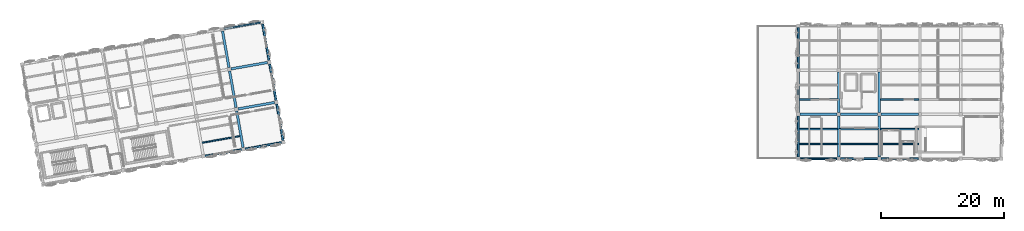
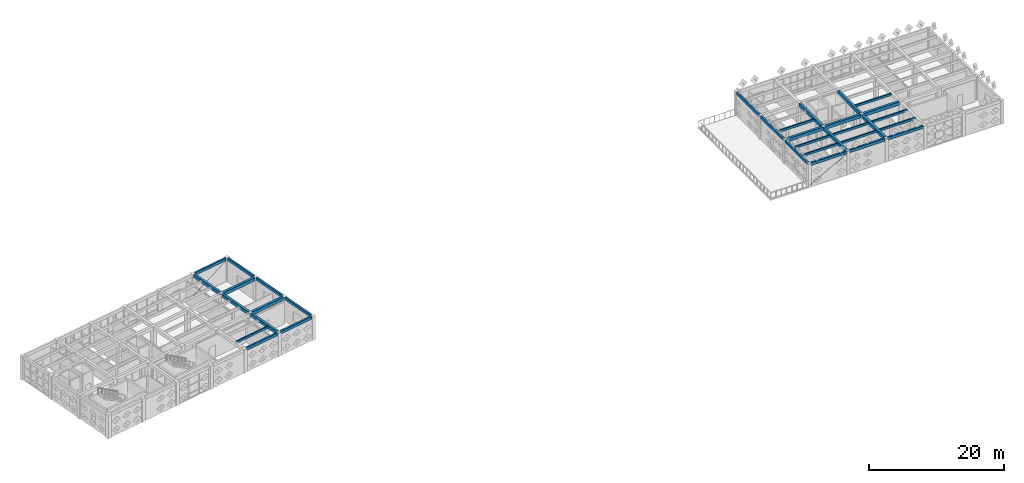
# One storey, part 9 of 29: 33 beams, 2 members.
"""IFC4 building model written with IfcOpenShell, lengths in metres."""

import ifcopenshell
import ifcopenshell.guid

model = None  # the IFC model being written
_history = None  # IfcOwnerHistory: only IFC2X3 demands one
_inside = {}  # id of a spatial element -> (the spatial element, [elements in it])
_under = {}  # id of a project, library or spatial element -> (it, [spatial elements below it])
_declared = {}  # id of a project -> (the project, [libraries it declares])
_typed = {}  # id of a type object -> (the type object, [elements of that type])
_made_of = {}  # id of a material, layer set ... -> (it, [elements and type objects made of it])


def new_model(schema):
    """Start an empty IFC model of exactly this schema.

    Asked for "IFC4X3", IfcOpenShell would pick the latest addendum, in which some entities
    have other attributes; the version numbers below select the first issue.
    IFC2X3 requires an IfcOwnerHistory on every rooted entity: one is made here for all.
    """
    global model, _history
    if schema == "IFC4X3":
        model = ifcopenshell.file(schema_version=(4, 3, 0, 0))
    else:
        model = ifcopenshell.file(schema=schema)
    _inside.clear()
    _under.clear()
    _declared.clear()
    _typed.clear()
    _made_of.clear()
    _history = None
    if model.schema == "IFC2X3":
        org = make("IfcOrganization", Name="unknown")
        user = make(
            "IfcPersonAndOrganization",
            ThePerson=make("IfcPerson", FamilyName="unknown"),
            TheOrganization=org,
        )
        app = make(
            "IfcApplication",
            ApplicationDeveloper=org,
            Version="unknown",
            ApplicationFullName="unknown",
            ApplicationIdentifier="unknown",
        )
        _history = make(
            "IfcOwnerHistory",
            OwningUser=user,
            OwningApplication=app,
            ChangeAction="ADDED",
            CreationDate=0,
        )
    return model


def make(cls, **values):
    """One entity of the class cls with the attributes given. An attribute that is None is left unset."""
    return model.create_entity(
        cls, **{name: value for name, value in values.items() if value is not None}
    )


def rooted(cls, **values):
    """An entity with a GlobalId (a new one), such as an element, a storey or a relation."""
    return make(cls, GlobalId=ifcopenshell.guid.new(), OwnerHistory=_history, **values)


def si_unit(unit_type, name, prefix=None):
    """IfcSIUnit, for example si_unit("LENGTHUNIT", "METRE", prefix="MILLI")."""
    return make("IfcSIUnit", UnitType=unit_type, Prefix=prefix, Name=name)


def assignment(units):
    """IfcUnitAssignment: the units of a project."""
    return None if units is None else make("IfcUnitAssignment", Units=units)


def point(xyz):
    """IfcCartesianPoint."""
    return None if xyz is None else make("IfcCartesianPoint", Coordinates=xyz)


def direction(xyz):
    """IfcDirection."""
    return None if xyz is None else make("IfcDirection", DirectionRatios=xyz)


def frame(location, z_axis=None, x_axis=None):
    """IfcAxis2Placement3D, a coordinate frame: its origin and axes. An axis left out is left unset."""
    return make(
        "IfcAxis2Placement3D",
        Location=point(location),
        Axis=direction(z_axis),
        RefDirection=direction(x_axis),
    )


def frame_2d(location, x_axis=None):
    """IfcAxis2Placement2D, a coordinate frame in the plane: its origin and x axis."""
    return make(
        "IfcAxis2Placement2D", Location=point(location), RefDirection=direction(x_axis)
    )


def origin():
    """The frame at (0, 0, 0) with its axes left unset."""
    return frame((0.0, 0.0, 0.0))


def origin_2d():
    """The frame at (0, 0) in the plane with its x axis left unset."""
    return frame_2d((0.0, 0.0))


def place(relative_to, where):
    """IfcLocalPlacement: puts the frame where relative to a parent placement (None: the world)."""
    return make(
        "IfcLocalPlacement", PlacementRelTo=relative_to, RelativePlacement=where
    )


def context(
    kind, dimensions, precision=None, world=None, true_north=None, identifier=None
):
    """IfcGeometricRepresentationContext, for example the 3D "Model" context."""
    return make(
        "IfcGeometricRepresentationContext",
        ContextIdentifier=identifier,
        ContextType=kind,
        CoordinateSpaceDimension=dimensions,
        Precision=precision,
        WorldCoordinateSystem=world,
        TrueNorth=true_north,
    )


def subcontext(parent, identifier, kind, view, scale=None):
    """IfcGeometricRepresentationSubContext, for example "Body" below "Model"."""
    return make(
        "IfcGeometricRepresentationSubContext",
        ContextIdentifier=identifier,
        ContextType=kind,
        ParentContext=parent,
        TargetScale=scale,
        TargetView=view,
    )


def project(units=None, contexts=None):
    """IfcProject with its units and contexts."""
    return rooted(
        "IfcProject",
        Name="project",
        RepresentationContexts=contexts,
        UnitsInContext=assignment(units),
    )


def spatial(cls, under=None, at=None, **own):
    """A site, building, storey or space (cls), placed at a placement, below another one or the project."""
    s = rooted(cls, ObjectPlacement=at, **own)
    if under is not None:
        _under.setdefault(under.id(), (under, []))[1].append(s)
    return s


def profile(cls, at=None, kind="AREA", **sizes):
    """A parametric profile (cls). Its sizes go by their IFC names, for example OverallWidth=200.0."""
    return make(cls, ProfileType=kind, Position=at, **sizes)


def rectangle(**sizes):
    """IfcRectangleProfileDef."""
    return profile("IfcRectangleProfileDef", **sizes)


def hollow_rectangle(**sizes):
    """IfcRectangleHollowProfileDef."""
    return profile("IfcRectangleHollowProfileDef", **sizes)


def hollow_circle(**sizes):
    """IfcCircleHollowProfileDef."""
    return profile("IfcCircleHollowProfileDef", **sizes)


def extrude(swept, where, along, depth):
    """IfcExtrudedAreaSolid: the profile swept, set in the frame where, extruded along a direction by depth."""
    return make(
        "IfcExtrudedAreaSolid",
        SweptArea=swept,
        Position=where,
        ExtrudedDirection=direction(along),
        Depth=depth,
    )


def shape(context_of_items, identifier, shape_type, items):
    """IfcShapeRepresentation: the items that make up one representation, for example the "Body"."""
    return make(
        "IfcShapeRepresentation",
        ContextOfItems=context_of_items,
        RepresentationIdentifier=identifier,
        RepresentationType=shape_type,
        Items=items,
    )


def material(Name=None, Category=None):
    """IfcMaterial."""
    return make("IfcMaterial", Name=Name, Category=Category)


def material_profile(
    of_material, cross_section, Name=None, Category=None, Priority=None
):
    """IfcMaterialProfile: a cross section and its material."""
    return make(
        "IfcMaterialProfile",
        Name=Name,
        Material=of_material,
        Profile=cross_section,
        Priority=Priority,
        Category=Category,
    )


def profile_set(profiles, Name=None, composite=None):
    """IfcMaterialProfileSet."""
    return make(
        "IfcMaterialProfileSet",
        Name=Name,
        MaterialProfiles=profiles,
        CompositeProfile=composite,
    )


def made_of(thing, what):
    """Note that an element or type object is made of a material, layer set ...; save() writes the relation."""
    if what is not None:
        _made_of.setdefault(what.id(), (what, []))[1].append(thing)
    return thing


def type_object(cls, material=None, **own):
    """A type object (cls), such as IfcWallType, which elements share."""
    return made_of(rooted(cls, **own), material)


def element(
    cls,
    number,
    at=None,
    inside=None,
    cuts=None,
    type_object=None,
    material=None,
    context=None,
    identifier="Body",
    shape_type=None,
    held_by="IfcProductDefinitionShape",
    body=None,
    shapes=None,
    **own,
):
    """One element of the class cls, such as IfcWall. Its Tag is "e" and its number.

    at: its placement. inside: the storey or other place that contains it. cuts: it is an
    opening in that element (IfcRelVoidsElement). A single representation is given by context,
    identifier, shape_type and body (its items); several are given by shapes. held_by: the class
    of the entity that holds the representations. save() writes the other relations.
    """
    e = rooted(cls, Tag="e%d" % number, ObjectPlacement=at, **own)
    if body is not None:
        shapes = [shape(context, identifier, shape_type, body)]
    if shapes is not None:
        e.Representation = make(held_by, Representations=shapes)
    if inside is not None:
        _inside.setdefault(inside.id(), (inside, []))[1].append(e)
    if cuts is not None:
        rooted(
            "IfcRelVoidsElement", RelatingBuildingElement=cuts, RelatedOpeningElement=e
        )
    if type_object is not None:
        _typed.setdefault(type_object.id(), (type_object, []))[1].append(e)
    return made_of(e, material)


def aggregate(whole, parts):
    """IfcRelAggregates: a whole, such as a stair, and the parts it consists of."""
    return rooted("IfcRelAggregates", RelatingObject=whole, RelatedObjects=parts)


def save(model, path):
    """Write the relations noted so far, then the file.

    IfcRelAggregates (storeys below a building ...), IfcRelContainedInSpatialStructure (elements
    in a storey), IfcRelDefinesByType, IfcRelAssociatesMaterial and IfcRelDeclares: one each for
    every whole, place, type object, material and project.
    """
    for whole, parts in _under.values():
        aggregate(whole, parts)
    for where, things in _inside.values():
        rooted(
            "IfcRelContainedInSpatialStructure",
            RelatedElements=things,
            RelatingStructure=where,
        )
    for kind, things in _typed.values():
        rooted("IfcRelDefinesByType", RelatedObjects=things, RelatingType=kind)
    for what, things in _made_of.values():
        rooted("IfcRelAssociatesMaterial", RelatedObjects=things, RelatingMaterial=what)
    for by, libraries in _declared.values():
        rooted("IfcRelDeclares", RelatingContext=by, RelatedDefinitions=libraries)
    model.write(path)


model = new_model("IFC4")

# Units and contexts
model_context = context("Model", 3, precision=1e-05, world=origin(), true_north=direction((0.0, 1.0)))
body_context = subcontext(model_context, "Body", "Model", "MODEL_VIEW")
ifc_project = project(units=[si_unit("LENGTHUNIT", "METRE"), si_unit("AREAUNIT", "SQUARE_METRE"), si_unit("VOLUMEUNIT", "CUBIC_METRE"), si_unit("PLANEANGLEUNIT", "RADIAN"), si_unit("MASSUNIT", "GRAM", prefix="KILO")], contexts=[model_context])

# Site, building, storey
site_placement = place(None, origin())
site = spatial("IfcSite", under=ifc_project, at=site_placement, CompositionType="ELEMENT")
building_placement = place(site_placement, origin())
building = spatial("IfcBuilding", under=site, at=building_placement, Name="Kharisveld Research Institute", CompositionType="ELEMENT")
storey_placement = place(building_placement, frame((0.0, 0.0, 32.10009765625)))
storey = spatial("IfcBuildingStorey", under=building, at=storey_placement, Name="L07", CompositionType="ELEMENT", Elevation=32.10009765625)

# Beams
ifc_material_1 = material(Name="Concrete C40/50", Category="concrete")
ifc_material_profile_1 = material_profile(ifc_material_1, rectangle(XDim=0.39990234375, YDim=0.550048828125, at=origin_2d()))
ifc_profile_set_1 = profile_set([ifc_material_profile_1], Name="Concrete C40/50")
beam_type_1 = type_object("IfcBeamType", Name="BM_RC_400x550", PredefinedType="BEAM", material=ifc_profile_set_1)
for number, where, z_axis, x_axis, name in (
    (1, (37.646484375, 41.035888671875, 4.034912109375), (-0.173629803561, 0.984810992686, 0.0), (-0.984810992686, -0.173629803561, 0.0), "BM:V1:L07:V5_0"),
    (2, (36.50048828125, 47.53564453125, 4.034912109375), (-0.173669267716, 0.984804034035, 0.0), (-0.984804034035, -0.173669267716, 0.0), "BM:V1:L07:V5_1"),
    (3, (35.3544921875, 54.035400390625, 4.034912109375), (-0.173669267716, 0.984804034035, 0.0), (-0.984804034035, -0.173669267716, 0.0), "BM:V1:L07:V5_2"),
):
    element("IfcBeam", number, at=place(storey_placement, frame(where, z_axis=z_axis, x_axis=x_axis)), inside=storey, type_object=beam_type_1, Name=name, PredefinedType="BEAM", context=body_context, shape_type="SweptSolid", body=[
        extrude(rectangle(XDim=0.39990234375, YDim=0.550048828125, at=origin_2d()), origin(), (0.0, 0.0, 1.0), 5.999755859375),
    ])
for number, where, z_axis, x_axis, name in (
    (4, (134.39990234375, 39.47509765625, 4.02978515625), (0.0, 1.0, 0.0), (-1.0, 0.0, 0.0), "BM:V2:L07:V3_0"),
    (5, (134.39990234375, 46.675048828125, 4.02978515625), (0.0, 1.0, 0.0), (-1.0, 0.0, 0.0), "BM:V2:L07:V3_1"),
    (6, (141.0, 39.47509765625, 4.02978515625), (0.0, 1.0, 0.0), (-1.0, 0.0, 0.0), "BM:V2:L07:V4_0"),
    (7, (141.0, 46.675048828125, 4.02978515625), (0.0, 1.0, 0.0), (-1.0, 0.0, 0.0), "BM:V2:L07:V4_1"),
):
    element("IfcBeam", number, at=place(storey_placement, frame(where, z_axis=z_axis, x_axis=x_axis)), inside=storey, type_object=beam_type_1, Name=name, PredefinedType="BEAM", context=body_context, shape_type="SweptSolid", body=[
        extrude(rectangle(XDim=0.39990234375, YDim=0.550048828125, at=origin_2d()), origin(), (0.0, 0.0, 1.0), 6.64990234375),
    ])
ifc_material_2 = material(Name="Concrete C40/50", Category="concrete")
ifc_material_profile_2 = material_profile(ifc_material_2, rectangle(XDim=0.39990234375, YDim=0.60009765625, at=origin_2d()))
ifc_profile_set_2 = profile_set([ifc_material_profile_2], Name="Concrete C40/50")
beam_type_2 = type_object("IfcBeamType", Name="BM_RC_400x600", PredefinedType="BEAM", material=ifc_profile_set_2)
for number, where, z_axis, x_axis, name in (
    (8, (36.847900390625, 47.292236328125, 4.010009765625), (0.984812219346, 0.173622845926, 0.0), (-0.173622845926, 0.984812219346, 0.0), "BM:V1:L07:U5_1"),
    (9, (35.701904296875, 53.7919921875, 4.010009765625), (0.984812219346, 0.173622845926, 0.0), (-0.173622845926, 0.984812219346, 0.0), "BM:V1:L07:U5_2"),
):
    element("IfcBeam", number, at=place(storey_placement, frame(where, z_axis=z_axis, x_axis=x_axis)), inside=storey, type_object=beam_type_2, Name=name, PredefinedType="BEAM", context=body_context, shape_type="SweptSolid", body=[
        extrude(rectangle(XDim=0.39990234375, YDim=0.60009765625, at=origin_2d()), origin(), (0.0, 0.0, 1.0), 6.0),
    ])
for number, where, z_axis, x_axis, name in (
    (10, (128.074951171875, 46.39990234375, 4.0048828125), (1.0, 0.0, 0.0), (0.0, 1.0, 0.0), "BM:V2:L07:U2_1"),
    (11, (134.675048828125, 46.39990234375, 4.0048828125), (1.0, 0.0, 0.0), (0.0, 1.0, 0.0), "BM:V2:L07:U3_1"),
    (12, (141.27490234375, 46.39990234375, 4.0048828125), (1.0, 0.0, 0.0), (0.0, 1.0, 0.0), "BM:V2:L07:U4_1"),
):
    element("IfcBeam", number, at=place(storey_placement, frame(where, z_axis=z_axis, x_axis=x_axis)), inside=storey, type_object=beam_type_2, Name=name, PredefinedType="BEAM", context=body_context, shape_type="SweptSolid", body=[
        extrude(rectangle(XDim=0.39990234375, YDim=0.60009765625, at=origin_2d()), origin(), (0.0, 0.0, 1.0), 6.050048828125),
    ])

# Members
ifc_material_3 = material(Name="Steel S355J2H", Category="steel")
ifc_material_profile_3 = material_profile(ifc_material_3, hollow_circle(Radius=0.06982421875, WallThickness=0.00634765625, at=origin_2d()))
ifc_profile_set_3 = profile_set([ifc_material_profile_3], Name="Steel S355J2H")
member_type_1 = type_object("IfcMemberType", Name="BR_CHS140", PredefinedType="BRACE", material=ifc_profile_set_3)
member_1_placement = place(storey_placement, frame((34.35888671875, 60.2568359375, 0.199951171875), z_axis=(0.860614431418, 0.151780969408, 0.486112474393), x_axis=(-0.173683053068, 0.984801602901, 0.0)))
element("IfcMember", 13, at=member_1_placement, inside=storey, type_object=member_type_1, Name="MEM:V1:L07:BR_5_3", PredefinedType="BRACE", context=body_context, shape_type="SweptSolid", body=[
    extrude(hollow_circle(Radius=0.06982421875, WallThickness=0.00634765625, at=origin_2d()), origin(), (0.0, 0.0, 1.0), 7.323486328125),
])
ifc_material_4 = material(Name="Steel S355J2H", Category="steel")
ifc_material_profile_4 = material_profile(ifc_material_4, hollow_rectangle(XDim=0.1201171875, YDim=0.1201171875, WallThickness=0.00634765625, at=origin_2d()))
ifc_profile_set_4 = profile_set([ifc_material_profile_4], Name="Steel S355J2H")
member_type_2 = type_object("IfcMemberType", Name="BR_SHS120", PredefinedType="BRACE", material=ifc_profile_set_4)
member_2_placement = place(storey_placement, frame((127.89990234375, 39.199951171875, 0.199951171875), z_axis=(0.874198170593, 0.0, 0.485569313828), x_axis=(0.0, 1.0, 0.0)))
element("IfcMember", 14, at=member_2_placement, inside=storey, type_object=member_type_2, Name="MEM:V2:L07:BR_2_0", PredefinedType="BRACE", context=body_context, shape_type="SweptSolid", body=[
    extrude(hollow_rectangle(XDim=0.1201171875, YDim=0.1201171875, WallThickness=0.00634765625, at=origin_2d()), origin(), (0.0, 0.0, 1.0), 7.321044921875),
])

# Beams
ifc_material_5 = material(Name="Concrete C40/50", Category="concrete")
ifc_material_profile_5 = material_profile(ifc_material_5, rectangle(XDim=0.300048828125, YDim=0.5, at=origin_2d()))
ifc_profile_set_5 = profile_set([ifc_material_profile_5], Name="Concrete C40/50")
beam_type_3 = type_object("IfcBeamType", Name="SP_RC_300x500", PredefinedType="SPANDREL", material=ifc_profile_set_5)
beam_1_placement = place(storey_placement, frame((31.494384765625, 39.646484375, 4.059814453125), z_axis=(0.984812219346, 0.173622845926, 0.0), x_axis=(-0.173622845926, 0.984812219346, 0.0)))
element("IfcBeam", 15, at=beam_1_placement, inside=storey, type_object=beam_type_3, Name="BM:V1:L07:U4_0", PredefinedType="SPANDREL", context=body_context, shape_type="SweptSolid", body=[
    extrude(rectangle(XDim=0.300048828125, YDim=0.5, at=origin_2d()), origin(), (0.0, 0.0, 1.0), 6.0),
])
for number, where, z_axis, x_axis, name in (
    (16, (37.994140625, 40.79248046875, 4.059814453125), (0.984804034035, 0.173669267716, 0.0), (-0.173669267716, 0.984804034035, 0.0), "BM:V1:L07:U5_0"),
    (17, (34.555908203125, 60.291748046875, 4.059814453125), (0.984810992686, 0.173629803561, 0.0), (-0.173629803561, 0.984810992686, 0.0), "BM:V1:L07:U5_3"),
):
    element("IfcBeam", number, at=place(storey_placement, frame(where, z_axis=z_axis, x_axis=x_axis)), inside=storey, type_object=beam_type_3, Name=name, PredefinedType="SPANDREL", context=body_context, shape_type="SweptSolid", body=[
        extrude(rectangle(XDim=0.300048828125, YDim=0.5, at=origin_2d()), origin(), (0.0, 0.0, 1.0), 5.999755859375),
    ])
for number, where, z_axis, x_axis, name in (
    (18, (44.146240234375, 42.181884765625, 4.059814453125), (-0.173622845926, 0.984812219346, 0.0), (-0.984812219346, -0.173622845926, 0.0), "BM:V1:L07:V6_0"),
    (19, (43.000244140625, 48.681640625, 4.059814453125), (-0.173662308598, 0.984805261243, 0.0), (-0.984805261243, -0.173662308598, 0.0), "BM:V1:L07:V6_1"),
    (20, (41.854248046875, 55.181396484375, 4.059814453125), (-0.173662308598, 0.984805261243, 0.0), (-0.984805261243, -0.173662308598, 0.0), "BM:V1:L07:V6_2"),
):
    element("IfcBeam", number, at=place(storey_placement, frame(where, z_axis=z_axis, x_axis=x_axis)), inside=storey, type_object=beam_type_3, Name=name, PredefinedType="SPANDREL", context=body_context, shape_type="SweptSolid", body=[
        extrude(rectangle(XDim=0.300048828125, YDim=0.5, at=origin_2d()), origin(), (0.0, 0.0, 1.0), 6.0),
    ])
for number, where, z_axis, x_axis, name in (
    (21, (128.074951171875, 39.199951171875, 4.054931640625), (1.0, 0.0, 0.0), (0.0, 1.0, 0.0), "BM:V2:L07:U2_0"),
    (22, (134.675048828125, 39.199951171875, 4.054931640625), (1.0, 0.0, 0.0), (0.0, 1.0, 0.0), "BM:V2:L07:U3_0"),
    (23, (141.27490234375, 39.199951171875, 4.054931640625), (1.0, 0.0, 0.0), (0.0, 1.0, 0.0), "BM:V2:L07:U4_0"),
):
    element("IfcBeam", number, at=place(storey_placement, frame(where, z_axis=z_axis, x_axis=x_axis)), inside=storey, type_object=beam_type_3, Name=name, PredefinedType="SPANDREL", context=body_context, shape_type="SweptSolid", body=[
        extrude(rectangle(XDim=0.300048828125, YDim=0.5, at=origin_2d()), origin(), (0.0, 0.0, 1.0), 6.050048828125),
    ])
for number, where, z_axis, x_axis, name in (
    (24, (127.800048828125, 39.47509765625, 4.054931640625), (0.0, 1.0, 0.0), (-1.0, 0.0, 0.0), "BM:V2:L07:V2_0"),
    (25, (127.800048828125, 46.675048828125, 4.054931640625), (0.0, 1.0, 0.0), (-1.0, 0.0, 0.0), "BM:V2:L07:V2_1"),
    (26, (127.800048828125, 53.875, 4.054931640625), (0.0, 1.0, 0.0), (-1.0, 0.0, 0.0), "BM:V2:L07:V2_2"),
):
    element("IfcBeam", number, at=place(storey_placement, frame(where, z_axis=z_axis, x_axis=x_axis)), inside=storey, type_object=beam_type_3, Name=name, PredefinedType="SPANDREL", context=body_context, shape_type="SweptSolid", body=[
        extrude(rectangle(XDim=0.300048828125, YDim=0.5, at=origin_2d()), origin(), (0.0, 0.0, 1.0), 6.64990234375),
    ])
ifc_material_6 = material(Name="Concrete C40/50", Category="concrete")
ifc_material_profile_6 = material_profile(ifc_material_6, rectangle(XDim=0.219970703125, YDim=0.39990234375, at=origin_2d()))
ifc_profile_set_6 = profile_set([ifc_material_profile_6], Name="Concrete C40/50")
beam_type_4 = type_object("IfcBeamType", Name="WB_RC_220x400", PredefinedType="JOIST", material=ifc_profile_set_6)
beam_2_placement = place(storey_placement, frame((31.013916015625, 41.795654296875, 4.10986328125), z_axis=(0.984806146634, 0.173657287643, 0.0), x_axis=(-0.173657287643, 0.984806146634, 0.0)))
element("IfcBeam", 27, at=beam_2_placement, inside=storey, type_object=beam_type_4, Name="BM:V1:L07:J_4_0_R1", PredefinedType="JOIST", context=body_context, shape_type="SweptSolid", body=[
    extrude(rectangle(XDim=0.219970703125, YDim=0.39990234375, at=origin_2d()), origin(), (0.0, 0.0, 1.0), 6.199951171875),
])
for number, where, z_axis, x_axis, name in (
    (28, (127.949951171875, 41.60009765625, 4.10498046875), (1.0, 0.0, 0.0), (0.0, 1.0, 0.0), "BM:V2:L07:J_2_0_R1"),
    (29, (127.949951171875, 44.0, 4.10498046875), (1.0, 0.0, 0.0), (0.0, 1.0, 0.0), "BM:V2:L07:J_2_0_R2"),
    (30, (127.949951171875, 48.800048828125, 4.10498046875), (1.0, 0.0, 0.0), (0.0, 1.0, 0.0), "BM:V2:L07:J_2_1_R1"),
):
    element("IfcBeam", number, at=place(storey_placement, frame(where, z_axis=z_axis, x_axis=x_axis)), inside=storey, type_object=beam_type_4, Name=name, PredefinedType="JOIST", context=body_context, shape_type="SweptSolid", body=[
        extrude(rectangle(XDim=0.219970703125, YDim=0.39990234375, at=origin_2d()), origin(), (0.0, 0.0, 1.0), 6.25),
    ])
for number, where, z_axis, x_axis, name in (
    (31, (134.60009765625, 41.60009765625, 4.10498046875), (1.0, 0.0, 0.0), (0.0, 1.0, 0.0), "BM:V2:L07:J_3_0_R1"),
    (32, (134.60009765625, 44.0, 4.10498046875), (1.0, 0.0, 0.0), (0.0, 1.0, 0.0), "BM:V2:L07:J_3_0_R2"),
    (33, (141.199951171875, 41.60009765625, 4.10498046875), (1.0, 0.0, 0.0), (0.0, 1.0, 0.0), "BM:V2:L07:J_4_0_R1"),
    (34, (141.199951171875, 44.0, 4.10498046875), (1.0, 0.0, 0.0), (0.0, 1.0, 0.0), "BM:V2:L07:J_4_0_R2"),
    (35, (141.199951171875, 48.800048828125, 4.10498046875), (1.0, 0.0, 0.0), (0.0, 1.0, 0.0), "BM:V2:L07:J_4_1_R1"),
):
    element("IfcBeam", number, at=place(storey_placement, frame(where, z_axis=z_axis, x_axis=x_axis)), inside=storey, type_object=beam_type_4, Name=name, PredefinedType="JOIST", context=body_context, shape_type="SweptSolid", body=[
        extrude(rectangle(XDim=0.219970703125, YDim=0.39990234375, at=origin_2d()), origin(), (0.0, 0.0, 1.0), 6.199951171875),
    ])

save(model, "model.ifc")
